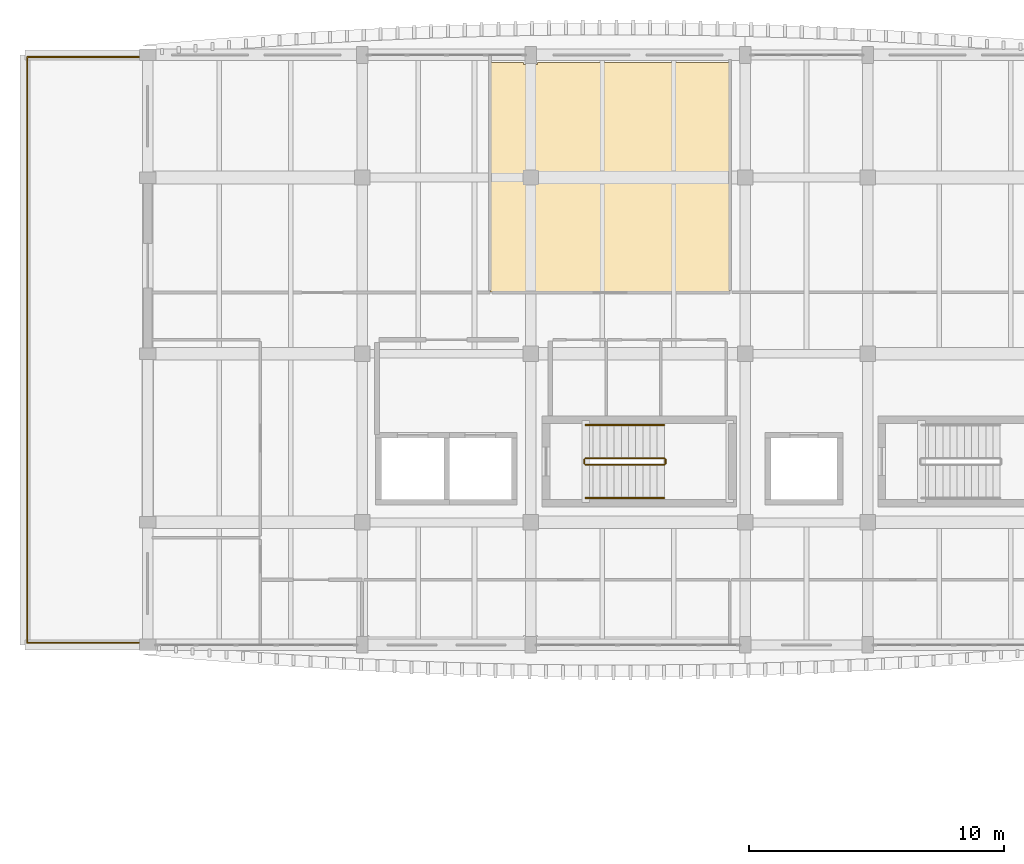
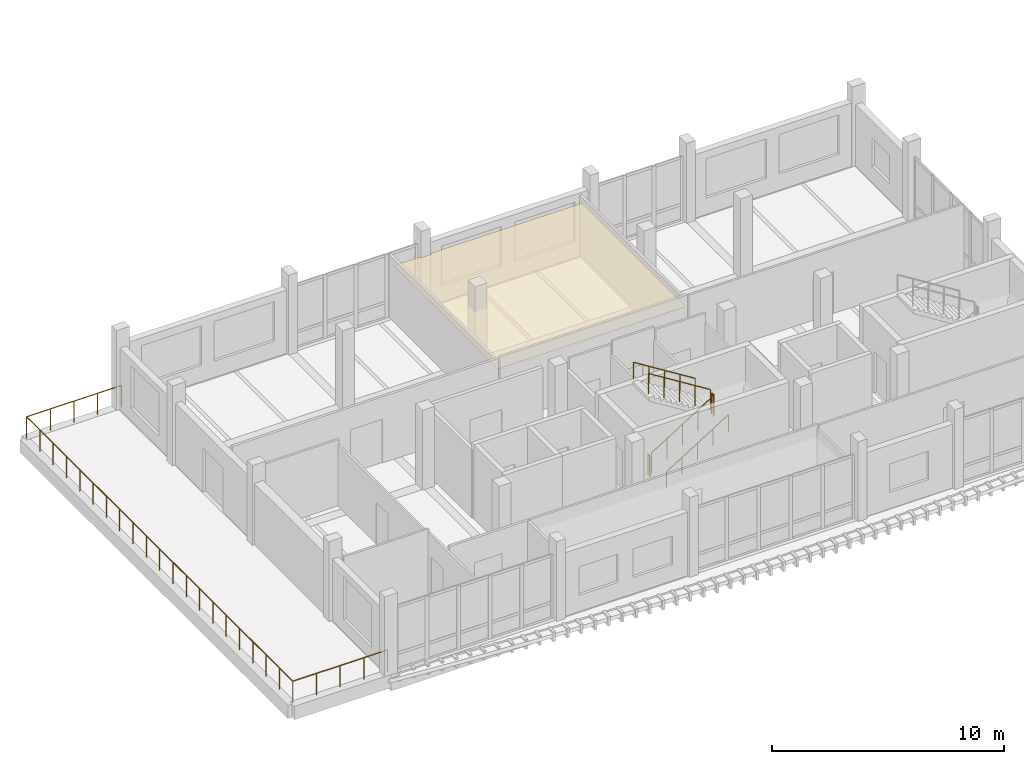
# One storey, part 14 of 20: 7 railings, 1 covering.
"""IFC4 building model written with IfcOpenShell, lengths in metres."""

import ifcopenshell
import ifcopenshell.guid

model = None  # the IFC model being written
_history = None  # IfcOwnerHistory: only IFC2X3 demands one
_inside = {}  # id of a spatial element -> (the spatial element, [elements in it])
_under = {}  # id of a project, library or spatial element -> (it, [spatial elements below it])
_declared = {}  # id of a project -> (the project, [libraries it declares])
_typed = {}  # id of a type object -> (the type object, [elements of that type])
_made_of = {}  # id of a material, layer set ... -> (it, [elements and type objects made of it])


def new_model(schema):
    """Start an empty IFC model of exactly this schema.

    Asked for "IFC4X3", IfcOpenShell would pick the latest addendum, in which some entities
    have other attributes; the version numbers below select the first issue.
    IFC2X3 requires an IfcOwnerHistory on every rooted entity: one is made here for all.
    """
    global model, _history
    if schema == "IFC4X3":
        model = ifcopenshell.file(schema_version=(4, 3, 0, 0))
    else:
        model = ifcopenshell.file(schema=schema)
    _inside.clear()
    _under.clear()
    _declared.clear()
    _typed.clear()
    _made_of.clear()
    _history = None
    if model.schema == "IFC2X3":
        org = make("IfcOrganization", Name="unknown")
        user = make(
            "IfcPersonAndOrganization",
            ThePerson=make("IfcPerson", FamilyName="unknown"),
            TheOrganization=org,
        )
        app = make(
            "IfcApplication",
            ApplicationDeveloper=org,
            Version="unknown",
            ApplicationFullName="unknown",
            ApplicationIdentifier="unknown",
        )
        _history = make(
            "IfcOwnerHistory",
            OwningUser=user,
            OwningApplication=app,
            ChangeAction="ADDED",
            CreationDate=0,
        )
    return model


def make(cls, **values):
    """One entity of the class cls with the attributes given. An attribute that is None is left unset."""
    return model.create_entity(
        cls, **{name: value for name, value in values.items() if value is not None}
    )


def rooted(cls, **values):
    """An entity with a GlobalId (a new one), such as an element, a storey or a relation."""
    return make(cls, GlobalId=ifcopenshell.guid.new(), OwnerHistory=_history, **values)


def si_unit(unit_type, name, prefix=None):
    """IfcSIUnit, for example si_unit("LENGTHUNIT", "METRE", prefix="MILLI")."""
    return make("IfcSIUnit", UnitType=unit_type, Prefix=prefix, Name=name)


def assignment(units):
    """IfcUnitAssignment: the units of a project."""
    return None if units is None else make("IfcUnitAssignment", Units=units)


def point(xyz):
    """IfcCartesianPoint."""
    return None if xyz is None else make("IfcCartesianPoint", Coordinates=xyz)


def direction(xyz):
    """IfcDirection."""
    return None if xyz is None else make("IfcDirection", DirectionRatios=xyz)


def frame(location, z_axis=None, x_axis=None):
    """IfcAxis2Placement3D, a coordinate frame: its origin and axes. An axis left out is left unset."""
    return make(
        "IfcAxis2Placement3D",
        Location=point(location),
        Axis=direction(z_axis),
        RefDirection=direction(x_axis),
    )


def frame_2d(location, x_axis=None):
    """IfcAxis2Placement2D, a coordinate frame in the plane: its origin and x axis."""
    return make(
        "IfcAxis2Placement2D", Location=point(location), RefDirection=direction(x_axis)
    )


def origin():
    """The frame at (0, 0, 0) with its axes left unset."""
    return frame((0.0, 0.0, 0.0))


def origin_2d():
    """The frame at (0, 0) in the plane with its x axis left unset."""
    return frame_2d((0.0, 0.0))


def place(relative_to, where):
    """IfcLocalPlacement: puts the frame where relative to a parent placement (None: the world)."""
    return make(
        "IfcLocalPlacement", PlacementRelTo=relative_to, RelativePlacement=where
    )


def context(
    kind, dimensions, precision=None, world=None, true_north=None, identifier=None
):
    """IfcGeometricRepresentationContext, for example the 3D "Model" context."""
    return make(
        "IfcGeometricRepresentationContext",
        ContextIdentifier=identifier,
        ContextType=kind,
        CoordinateSpaceDimension=dimensions,
        Precision=precision,
        WorldCoordinateSystem=world,
        TrueNorth=true_north,
    )


def subcontext(parent, identifier, kind, view, scale=None):
    """IfcGeometricRepresentationSubContext, for example "Body" below "Model"."""
    return make(
        "IfcGeometricRepresentationSubContext",
        ContextIdentifier=identifier,
        ContextType=kind,
        ParentContext=parent,
        TargetScale=scale,
        TargetView=view,
    )


def project(units=None, contexts=None):
    """IfcProject with its units and contexts."""
    return rooted(
        "IfcProject",
        Name="project",
        RepresentationContexts=contexts,
        UnitsInContext=assignment(units),
    )


def spatial(cls, under=None, at=None, **own):
    """A site, building, storey or space (cls), placed at a placement, below another one or the project."""
    s = rooted(cls, ObjectPlacement=at, **own)
    if under is not None:
        _under.setdefault(under.id(), (under, []))[1].append(s)
    return s


def polyline(points):
    """IfcPolyline through the points."""
    return make("IfcPolyline", Points=[point(p) for p in points])


def profile(cls, at=None, kind="AREA", **sizes):
    """A parametric profile (cls). Its sizes go by their IFC names, for example OverallWidth=200.0."""
    return make(cls, ProfileType=kind, Position=at, **sizes)


def circle(**sizes):
    """IfcCircleProfileDef."""
    return profile("IfcCircleProfileDef", **sizes)


def outline(outer, holes=None, kind="AREA"):
    """IfcArbitraryClosedProfileDef: a profile drawn as a closed curve; with holes, ...WithVoids."""
    if holes is None:
        return make("IfcArbitraryClosedProfileDef", ProfileType=kind, OuterCurve=outer)
    return make(
        "IfcArbitraryProfileDefWithVoids",
        ProfileType=kind,
        OuterCurve=outer,
        InnerCurves=holes,
    )


def extrude(swept, where, along, depth):
    """IfcExtrudedAreaSolid: the profile swept, set in the frame where, extruded along a direction by depth."""
    return make(
        "IfcExtrudedAreaSolid",
        SweptArea=swept,
        Position=where,
        ExtrudedDirection=direction(along),
        Depth=depth,
    )


def shape(context_of_items, identifier, shape_type, items):
    """IfcShapeRepresentation: the items that make up one representation, for example the "Body"."""
    return make(
        "IfcShapeRepresentation",
        ContextOfItems=context_of_items,
        RepresentationIdentifier=identifier,
        RepresentationType=shape_type,
        Items=items,
    )


def material(Name=None, Category=None):
    """IfcMaterial."""
    return make("IfcMaterial", Name=Name, Category=Category)


def layer(
    of_material, thickness, ventilated=None, Name=None, Category=None, Priority=None
):
    """IfcMaterialLayer: one layer of a wall or slab, of a material (None: an air gap)."""
    return make(
        "IfcMaterialLayer",
        Material=of_material,
        LayerThickness=thickness,
        IsVentilated=ventilated,
        Name=Name,
        Category=Category,
        Priority=Priority,
    )


def layer_set(layers, Name=None):
    """IfcMaterialLayerSet."""
    return make("IfcMaterialLayerSet", MaterialLayers=layers, LayerSetName=Name)


def made_of(thing, what):
    """Note that an element or type object is made of a material, layer set ...; save() writes the relation."""
    if what is not None:
        _made_of.setdefault(what.id(), (what, []))[1].append(thing)
    return thing


def type_object(cls, material=None, **own):
    """A type object (cls), such as IfcWallType, which elements share."""
    return made_of(rooted(cls, **own), material)


def element(
    cls,
    number,
    at=None,
    inside=None,
    cuts=None,
    type_object=None,
    material=None,
    context=None,
    identifier="Body",
    shape_type=None,
    held_by="IfcProductDefinitionShape",
    body=None,
    shapes=None,
    **own,
):
    """One element of the class cls, such as IfcWall. Its Tag is "e" and its number.

    at: its placement. inside: the storey or other place that contains it. cuts: it is an
    opening in that element (IfcRelVoidsElement). A single representation is given by context,
    identifier, shape_type and body (its items); several are given by shapes. held_by: the class
    of the entity that holds the representations. save() writes the other relations.
    """
    e = rooted(cls, Tag="e%d" % number, ObjectPlacement=at, **own)
    if body is not None:
        shapes = [shape(context, identifier, shape_type, body)]
    if shapes is not None:
        e.Representation = make(held_by, Representations=shapes)
    if inside is not None:
        _inside.setdefault(inside.id(), (inside, []))[1].append(e)
    if cuts is not None:
        rooted(
            "IfcRelVoidsElement", RelatingBuildingElement=cuts, RelatedOpeningElement=e
        )
    if type_object is not None:
        _typed.setdefault(type_object.id(), (type_object, []))[1].append(e)
    return made_of(e, material)


def aggregate(whole, parts):
    """IfcRelAggregates: a whole, such as a stair, and the parts it consists of."""
    return rooted("IfcRelAggregates", RelatingObject=whole, RelatedObjects=parts)


def save(model, path):
    """Write the relations noted so far, then the file.

    IfcRelAggregates (storeys below a building ...), IfcRelContainedInSpatialStructure (elements
    in a storey), IfcRelDefinesByType, IfcRelAssociatesMaterial and IfcRelDeclares: one each for
    every whole, place, type object, material and project.
    """
    for whole, parts in _under.values():
        aggregate(whole, parts)
    for where, things in _inside.values():
        rooted(
            "IfcRelContainedInSpatialStructure",
            RelatedElements=things,
            RelatingStructure=where,
        )
    for kind, things in _typed.values():
        rooted("IfcRelDefinesByType", RelatedObjects=things, RelatingType=kind)
    for what, things in _made_of.values():
        rooted("IfcRelAssociatesMaterial", RelatedObjects=things, RelatingMaterial=what)
    for by, libraries in _declared.values():
        rooted("IfcRelDeclares", RelatingContext=by, RelatedDefinitions=libraries)
    model.write(path)


model = new_model("IFC4")

# Units and contexts
model_context = context("Model", 3, precision=1e-05, world=origin(), true_north=direction((0.0, 1.0)))
body_context = subcontext(model_context, "Body", "Model", "MODEL_VIEW")
ifc_project = project(units=[si_unit("LENGTHUNIT", "METRE"), si_unit("AREAUNIT", "SQUARE_METRE"), si_unit("VOLUMEUNIT", "CUBIC_METRE"), si_unit("PLANEANGLEUNIT", "RADIAN"), si_unit("MASSUNIT", "GRAM", prefix="KILO")], contexts=[model_context])

# Site, building, storey
site_placement = place(None, origin())
site = spatial("IfcSite", under=ifc_project, at=site_placement, CompositionType="ELEMENT")
building_placement = place(site_placement, origin())
building = spatial("IfcBuilding", under=site, at=building_placement, Name="Dornvale Research Institute", CompositionType="ELEMENT")
storey_placement = place(building_placement, frame((0.0, 0.0, 34.199951171875)))
storey = spatial("IfcBuildingStorey", under=building, at=storey_placement, Name="L07", CompositionType="ELEMENT", Elevation=34.199951171875)

# Covering
ifc_material_1 = material(Name="Mineral-Fibre Acoustic Lay-In Ceiling Tile System")
ifc_layer_1 = layer(ifc_material_1, 0.02001953125)
ifc_layer_set_1 = layer_set([ifc_layer_1], Name="Mineral-Fibre Acoustic Lay-In Ceiling Tile System")
covering_type = type_object("IfcCoveringType", Name="Covering_Acoustic_Ceiling", PredefinedType="CEILING", material=ifc_layer_set_1)
covering_placement = place(storey_placement, frame((0.0, 0.0, 2.85009765625)))
element("IfcCovering", 1, at=covering_placement, inside=storey, type_object=covering_type, Name="L07 Earth Observation Remote Sensing Lab suspended ceiling", PredefinedType="CEILING", context=body_context, shape_type="SweptSolid", body=[
    extrude(outline(polyline([(27.580078125, 112.820068359375), (18.219970703125, 112.820068359375), (18.219970703125, 121.800048828125), (19.52490234375, 121.800048828125), (19.52490234375, 121.72509765625), (20.074951171875, 121.72509765625), (20.074951171875, 121.800048828125), (27.580078125, 121.800048828125), (27.580078125, 112.820068359375)])), origin(), (0.0, 0.0, 1.0), 0.02001953125),
])

# Railings
ifc_material_2 = material(Name="Galvanized Painted Tubular Steel Stair Rail", Category="steel")
ifc_layer_2 = layer(ifc_material_2, 0.050048828125)
ifc_layer_set_2 = layer_set([ifc_layer_2], Name="Galvanized Painted Tubular Steel Stair Rail")
railing_type_1 = type_object("IfcRailingType", Name="Railing_Stair_Guard_1100", PredefinedType="GUARDRAIL", material=ifc_layer_set_2)
railing_1_placement = place(storey_placement, frame((21.949951171875, 106.050048828125, 0.175048828125)))
element("IfcRailing", 2, at=railing_1_placement, inside=storey, type_object=railing_type_1, Name="L07 ST-1 stair guard 1", PredefinedType="GUARDRAIL", context=body_context, shape_type="SweptSolid", body=[
    extrude(circle(Radius=0.02392578125, at=origin_2d()), frame((0.0, 0.0, 1.076171875), z_axis=(0.847998304005, 0.0, 0.529998940003), x_axis=(0.0, 1.0, 0.0)), (0.0, 0.0, 1.0), 3.632080078125),
    extrude(circle(Radius=0.02099609375, at=origin_2d()), origin(), (0.0, 0.0, 1.0), 1.052001953125),
    extrude(circle(Radius=0.02099609375, at=origin_2d()), frame((0.77001953125, 0.0, 0.481201171875)), (0.0, 0.0, 1.0), 1.052001953125),
    extrude(circle(Radius=0.02099609375, at=origin_2d()), frame((1.5400390625, 0.0, 0.96240234375)), (0.0, 0.0, 1.0), 1.052001953125),
    extrude(circle(Radius=0.02099609375, at=origin_2d()), frame((2.31005859375, 0.0, 1.44384765625)), (0.0, 0.0, 1.0), 1.052001953125),
    extrude(circle(Radius=0.02099609375, at=origin_2d()), frame((3.080078125, 0.0, 1.925048828125)), (0.0, 0.0, 1.0), 1.052001953125),
])
railing_2_placement = place(storey_placement, frame((25.080078125, 106.10009765625, 2.10009765625)))
element("IfcRailing", 3, at=railing_2_placement, inside=storey, type_object=railing_type_1, Name="L07 ST-1 stair guard 2", PredefinedType="GUARDRAIL", context=body_context, shape_type="SweptSolid", body=[
    extrude(circle(Radius=0.02392578125, at=origin_2d()), frame((0.0, 0.0, 1.076171875), z_axis=(0.0, 1.0, 0.0), x_axis=(-1.0, 0.0, 0.0)), (0.0, 0.0, 1.0), 0.159912109375),
    extrude(circle(Radius=0.02099609375, at=origin_2d()), origin(), (0.0, 0.0, 1.0), 1.052001953125),
    extrude(circle(Radius=0.02099609375, at=origin_2d()), frame((0.0, 0.159912109375, 0.0)), (0.0, 0.0, 1.0), 1.052001953125),
])
railing_3_placement = place(storey_placement, frame((25.030029296875, 106.31005859375, 2.275146484375)))
element("IfcRailing", 4, at=railing_3_placement, inside=storey, type_object=railing_type_1, Name="L07 ST-1 stair guard 3", PredefinedType="GUARDRAIL", context=body_context, shape_type="SweptSolid", body=[
    extrude(circle(Radius=0.02392578125, at=origin_2d()), frame((0.0, 0.0, 1.076171875), z_axis=(-0.848028513186, 0.0, 0.529950602248), x_axis=(0.0, -1.0, 0.0)), (0.0, 0.0, 1.0), 3.632080078125),
    extrude(circle(Radius=0.02099609375, at=origin_2d()), origin(), (0.0, 0.0, 1.0), 1.052001953125),
    extrude(circle(Radius=0.02099609375, at=origin_2d()), frame((-0.77001953125, 0.0, 0.481201171875)), (0.0, 0.0, 1.0), 1.052001953125),
    extrude(circle(Radius=0.02099609375, at=origin_2d()), frame((-1.5400390625, 0.0, 0.96240234375)), (0.0, 0.0, 1.0), 1.052001953125),
    extrude(circle(Radius=0.02099609375, at=origin_2d()), frame((-2.31005859375, 0.0, 1.443603515625)), (0.0, 0.0, 1.0), 1.052001953125),
    extrude(circle(Radius=0.02099609375, at=origin_2d()), frame((-3.080078125, 0.0, 1.9248046875)), (0.0, 0.0, 1.0), 1.052001953125),
])
railing_4_placement = place(storey_placement, frame((21.89990234375, 106.10009765625, 0.0)))
element("IfcRailing", 5, at=railing_4_placement, inside=storey, type_object=railing_type_1, Name="L07 ST-1 stair guard 4", PredefinedType="GUARDRAIL", context=body_context, shape_type="SweptSolid", body=[
    extrude(circle(Radius=0.02392578125, at=origin_2d()), frame((0.0, 0.0, 1.076171875), z_axis=(0.0, 1.0, 0.0), x_axis=(-1.0, 0.0, 0.0)), (0.0, 0.0, 1.0), 0.159912109375),
    extrude(circle(Radius=0.02099609375, at=origin_2d()), origin(), (0.0, 0.0, 1.0), 1.052001953125),
    extrude(circle(Radius=0.02099609375, at=origin_2d()), frame((0.0, 0.159912109375, 0.0)), (0.0, 0.0, 1.0), 1.052001953125),
])
ifc_material_3 = material(Name="Galvanized Painted Tubular Steel Stair Rail", Category="steel")
ifc_layer_3 = layer(ifc_material_3, 0.044921875)
ifc_layer_set_3 = layer_set([ifc_layer_3], Name="Galvanized Painted Tubular Steel Stair Rail")
railing_type_2 = type_object("IfcRailingType", Name="Railing_Stair_Handrail_900", PredefinedType="HANDRAIL", material=ifc_layer_set_3)
railing_5_placement = place(storey_placement, frame((21.949951171875, 104.75, 0.175048828125)))
element("IfcRailing", 6, at=railing_5_placement, inside=storey, type_object=railing_type_2, Name="L07 ST-1 stair handrail 1", PredefinedType="HANDRAIL", context=body_context, shape_type="SweptSolid", body=[
    extrude(circle(Radius=0.02392578125, at=origin_2d()), frame((0.0, 0.0, 0.8759765625), z_axis=(0.847998304005, 0.0, 0.529998940003), x_axis=(0.0, 1.0, 0.0)), (0.0, 0.0, 1.0), 3.632080078125),
    extrude(circle(Radius=0.02099609375, at=origin_2d()), origin(), (0.0, 0.0, 1.0), 0.851806640625),
    extrude(circle(Radius=0.02099609375, at=origin_2d()), frame((0.77001953125, 0.0, 0.481201171875)), (0.0, 0.0, 1.0), 0.851806640625),
    extrude(circle(Radius=0.02099609375, at=origin_2d()), frame((1.5400390625, 0.0, 0.96240234375)), (0.0, 0.0, 1.0), 0.851806640625),
    extrude(circle(Radius=0.02099609375, at=origin_2d()), frame((2.31005859375, 0.0, 1.44384765625)), (0.0, 0.0, 1.0), 0.851806640625),
    extrude(circle(Radius=0.02099609375, at=origin_2d()), frame((3.080078125, 0.0, 1.925048828125)), (0.0, 0.0, 1.0), 0.851806640625),
])
railing_6_placement = place(storey_placement, frame((25.030029296875, 107.610107421875, 2.275146484375)))
element("IfcRailing", 7, at=railing_6_placement, inside=storey, type_object=railing_type_2, Name="L07 ST-1 stair handrail 2", PredefinedType="HANDRAIL", context=body_context, shape_type="SweptSolid", body=[
    extrude(circle(Radius=0.02392578125, at=origin_2d()), frame((0.0, 0.0, 0.8759765625), z_axis=(-0.848028513186, 0.0, 0.529950602248), x_axis=(0.0, -1.0, 0.0)), (0.0, 0.0, 1.0), 3.632080078125),
    extrude(circle(Radius=0.02099609375, at=origin_2d()), origin(), (0.0, 0.0, 1.0), 0.851806640625),
    extrude(circle(Radius=0.02099609375, at=origin_2d()), frame((-0.77001953125, 0.0, 0.481201171875)), (0.0, 0.0, 1.0), 0.851806640625),
    extrude(circle(Radius=0.02099609375, at=origin_2d()), frame((-1.5400390625, 0.0, 0.96240234375)), (0.0, 0.0, 1.0), 0.851806640625),
    extrude(circle(Radius=0.02099609375, at=origin_2d()), frame((-2.31005859375, 0.0, 1.443603515625)), (0.0, 0.0, 1.0), 0.851806640625),
    extrude(circle(Radius=0.02099609375, at=origin_2d()), frame((-3.080078125, 0.0, 1.9248046875)), (0.0, 0.0, 1.0), 0.851806640625),
])
ifc_material_4 = material(Name="Architectural Bronze-Anodized Steel Balustrade", Category="steel")
ifc_layer_4 = layer(ifc_material_4, 0.06005859375)
ifc_layer_set_4 = layer_set([ifc_layer_4], Name="Architectural Bronze-Anodized Steel Balustrade")
railing_type_3 = type_object("IfcRailingType", Name="Railing_Terrace_Guard_1150", PredefinedType="GUARDRAIL", material=ifc_layer_set_4)
railing_7_placement = place(storey_placement, frame((4.800048828125, 99.080078125, 0.0)))
element("IfcRailing", 8, at=railing_7_placement, inside=storey, type_object=railing_type_3, Name="L07 outdoor terrace guard GR-01 #3", PredefinedType="GUARDRAIL", context=body_context, shape_type="SweptSolid", body=[
    extrude(circle(Radius=0.02392578125, at=origin_2d()), frame((0.0, 0.0, 1.1259765625), z_axis=(-1.0, 0.0, 0.0), x_axis=(0.0, -1.0, 0.0)), (0.0, 0.0, 1.0), 4.719970703125),
    extrude(circle(Radius=0.02392578125, at=origin_2d()), frame((-4.719970703125, 0.0, 1.1259765625), z_axis=(0.0, 1.0, 0.0), x_axis=(-1.0, 0.0, 0.0)), (0.0, 0.0, 1.0), 22.93994140625),
    extrude(circle(Radius=0.02392578125, at=origin_2d()), frame((-4.719970703125, 22.93994140625, 1.1259765625), z_axis=(1.0, 0.0, 0.0), x_axis=(0.0, 1.0, 0.0)), (0.0, 0.0, 1.0), 4.719970703125),
    extrude(circle(Radius=0.02099609375, at=origin_2d()), origin(), (0.0, 0.0, 1.0), 1.101806640625),
    extrude(circle(Radius=0.02099609375, at=origin_2d()), frame((-1.179931640625, 0.0, 0.0)), (0.0, 0.0, 1.0), 1.101806640625),
    extrude(circle(Radius=0.02099609375, at=origin_2d()), frame((-2.35986328125, 0.0, 0.0)), (0.0, 0.0, 1.0), 1.101806640625),
    extrude(circle(Radius=0.02099609375, at=origin_2d()), frame((-3.5400390625, 0.0, 0.0)), (0.0, 0.0, 1.0), 1.101806640625),
    extrude(circle(Radius=0.02099609375, at=origin_2d()), frame((-4.719970703125, 0.0, 0.0)), (0.0, 0.0, 1.0), 1.101806640625),
    extrude(circle(Radius=0.02099609375, at=origin_2d()), frame((-4.719970703125, 1.14697265625, 0.0)), (0.0, 0.0, 1.0), 1.101806640625),
    extrude(circle(Radius=0.02099609375, at=origin_2d()), frame((-4.719970703125, 2.2939453125, 0.0)), (0.0, 0.0, 1.0), 1.101806640625),
    extrude(circle(Radius=0.02099609375, at=origin_2d()), frame((-4.719970703125, 3.44091796875, 0.0)), (0.0, 0.0, 1.0), 1.101806640625),
    extrude(circle(Radius=0.02099609375, at=origin_2d()), frame((-4.719970703125, 4.587890625, 0.0)), (0.0, 0.0, 1.0), 1.101806640625),
    extrude(circle(Radius=0.02099609375, at=origin_2d()), frame((-4.719970703125, 5.73486328125, 0.0)), (0.0, 0.0, 1.0), 1.101806640625),
    extrude(circle(Radius=0.02099609375, at=origin_2d()), frame((-4.719970703125, 6.882080078125, 0.0)), (0.0, 0.0, 1.0), 1.101806640625),
    extrude(circle(Radius=0.02099609375, at=origin_2d()), frame((-4.719970703125, 8.029052734375, 0.0)), (0.0, 0.0, 1.0), 1.101806640625),
    extrude(circle(Radius=0.02099609375, at=origin_2d()), frame((-4.719970703125, 9.176025390625, 0.0)), (0.0, 0.0, 1.0), 1.101806640625),
    extrude(circle(Radius=0.02099609375, at=origin_2d()), frame((-4.719970703125, 10.322998046875, 0.0)), (0.0, 0.0, 1.0), 1.101806640625),
    extrude(circle(Radius=0.02099609375, at=origin_2d()), frame((-4.719970703125, 11.469970703125, 0.0)), (0.0, 0.0, 1.0), 1.101806640625),
    extrude(circle(Radius=0.02099609375, at=origin_2d()), frame((-4.719970703125, 12.616943359375, 0.0)), (0.0, 0.0, 1.0), 1.101806640625),
    extrude(circle(Radius=0.02099609375, at=origin_2d()), frame((-4.719970703125, 13.763916015625, 0.0)), (0.0, 0.0, 1.0), 1.101806640625),
    extrude(circle(Radius=0.02099609375, at=origin_2d()), frame((-4.719970703125, 14.910888671875, 0.0)), (0.0, 0.0, 1.0), 1.101806640625),
    extrude(circle(Radius=0.02099609375, at=origin_2d()), frame((-4.719970703125, 16.057861328125, 0.0)), (0.0, 0.0, 1.0), 1.101806640625),
    extrude(circle(Radius=0.02099609375, at=origin_2d()), frame((-4.719970703125, 17.205078125, 0.0)), (0.0, 0.0, 1.0), 1.101806640625),
    extrude(circle(Radius=0.02099609375, at=origin_2d()), frame((-4.719970703125, 18.35205078125, 0.0)), (0.0, 0.0, 1.0), 1.101806640625),
    extrude(circle(Radius=0.02099609375, at=origin_2d()), frame((-4.719970703125, 19.4990234375, 0.0)), (0.0, 0.0, 1.0), 1.101806640625),
    extrude(circle(Radius=0.02099609375, at=origin_2d()), frame((-4.719970703125, 20.64599609375, 0.0)), (0.0, 0.0, 1.0), 1.101806640625),
    extrude(circle(Radius=0.02099609375, at=origin_2d()), frame((-4.719970703125, 21.79296875, 0.0)), (0.0, 0.0, 1.0), 1.101806640625),
    extrude(circle(Radius=0.02099609375, at=origin_2d()), frame((-4.719970703125, 22.93994140625, 0.0)), (0.0, 0.0, 1.0), 1.101806640625),
    extrude(circle(Radius=0.02099609375, at=origin_2d()), frame((-3.5400390625, 22.93994140625, 0.0)), (0.0, 0.0, 1.0), 1.101806640625),
    extrude(circle(Radius=0.02099609375, at=origin_2d()), frame((-2.35986328125, 22.93994140625, 0.0)), (0.0, 0.0, 1.0), 1.101806640625),
    extrude(circle(Radius=0.02099609375, at=origin_2d()), frame((-1.179931640625, 22.93994140625, 0.0)), (0.0, 0.0, 1.0), 1.101806640625),
    extrude(circle(Radius=0.02099609375, at=origin_2d()), frame((0.0, 22.93994140625, 0.0)), (0.0, 0.0, 1.0), 1.101806640625),
])

save(model, "model.ifc")
